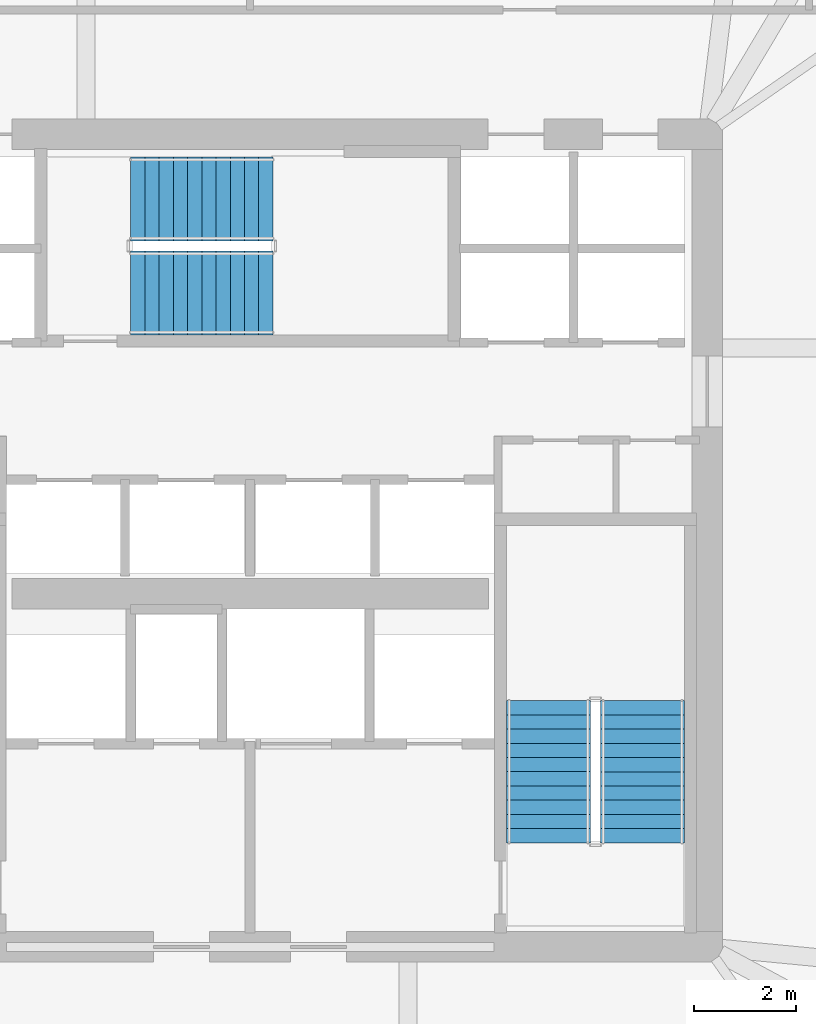
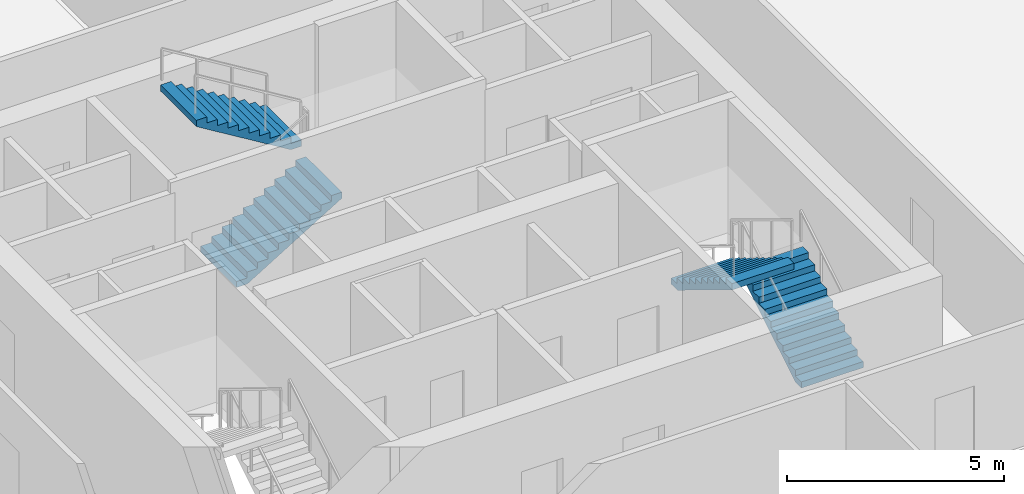
# One storey, part 29 of 34: 4 stair flights, 2 elements without a shape of their own.
"""IFC4 building model written with IfcOpenShell, lengths in metres."""

from ifc_helpers import new_model, si_unit, direction, frame, origin, place, context, subcontext, project, spatial, polyline, outline, extrude, material, type_object, element, aggregate, save


model = new_model("IFC4")

# Units and contexts
model_context = context("Model", 3, precision=1e-05, world=origin(), true_north=direction((0.0, 1.0)))
body_context = subcontext(model_context, "Body", "Model", "MODEL_VIEW")
ifc_project = project(units=[si_unit("LENGTHUNIT", "METRE"), si_unit("AREAUNIT", "SQUARE_METRE"), si_unit("VOLUMEUNIT", "CUBIC_METRE"), si_unit("PLANEANGLEUNIT", "RADIAN"), si_unit("MASSUNIT", "GRAM", prefix="KILO")], contexts=[model_context])

# Site, building, storey
site_placement = place(None, origin())
site = spatial("IfcSite", under=ifc_project, at=site_placement, CompositionType="ELEMENT")
building_placement = place(site_placement, origin())
building = spatial("IfcBuilding", under=site, at=building_placement, Name="Haldenkirk Collegiate Tower", CompositionType="ELEMENT")
storey_placement = place(building_placement, frame((0.0, 0.0, 40.199951171875)))
storey = spatial("IfcBuildingStorey", under=building, at=storey_placement, Name="L08", CompositionType="ELEMENT", Elevation=40.199951171875)

# Stair, stair flights
ifc_material = material(Name="Concrete f'c 40 MPa", Category="concrete")
stair_type = type_object("IfcStairType", Name="STR-DOGLEG-1650", PredefinedType="HALF_TURN_STAIR", material=ifc_material)
stair_1_placement = place(storey_placement, origin())
stair_1 = element("IfcStair", 1, at=stair_1_placement, inside=storey, type_object=stair_type, Name="L08 Core Exit Stair ST-2", PredefinedType="HALF_TURN_STAIR")
stair_flight_type = type_object("IfcStairFlightType", Name="STF-FLIGHT-1650", PredefinedType="STRAIGHT", material=ifc_material)
stair_flight_1_placement = place(storey_placement, frame((43.72509765625, 20.050048828125, 0.0), z_axis=(0.0, 0.0, 1.0), x_axis=(0.0, 1.0, 0.0)))
stair_flight_1 = element("IfcStairFlight", 2, at=stair_flight_1_placement, type_object=stair_flight_type, Name="ST-2 flight 1", NumberOfRisers=11, NumberOfTreads=10, PredefinedType="STRAIGHT", RiserHeight=0.170454545, TreadLength=0.28, context=body_context, shape_type="SweptSolid", body=[
    extrude(outline(polyline([(0.0, 0.0), (0.0, 0.17041015625), (0.280029296875, 0.17041015625), (0.280029296875, 0.3408203125), (0.56005859375, 0.3408203125), (0.56005859375, 0.511474609375), (0.840087890625, 0.511474609375), (0.840087890625, 0.681884765625), (1.1201171875, 0.681884765625), (1.1201171875, 0.852294921875), (1.39990234375, 0.852294921875), (1.39990234375, 1.022705078125), (1.679931640625, 1.022705078125), (1.679931640625, 1.193115234375), (1.9599609375, 1.193115234375), (1.9599609375, 1.363525390625), (2.239990234375, 1.363525390625), (2.239990234375, 1.5341796875), (2.52001953125, 1.5341796875), (2.52001953125, 1.70458984375), (2.800048828125, 1.70458984375), (2.800048828125, 1.875), (2.800048828125, 1.529052734375), (0.288330078125, 0.0), (0.0, 0.0)])), frame((0.0, 0.824951171875, 0.0), z_axis=(0.0, -1.0, 0.0), x_axis=(1.0, 0.0, 0.0)), (0.0, 0.0, 1.0), 1.64990234375),
])
stair_flight_2_placement = place(storey_placement, frame((41.875, 22.85009765625, 1.875), z_axis=(0.0, 0.0, 1.0), x_axis=(0.0, -1.0, 0.0)))
stair_flight_2 = element("IfcStairFlight", 3, at=stair_flight_2_placement, type_object=stair_flight_type, Name="ST-2 flight 2", NumberOfRisers=11, NumberOfTreads=10, PredefinedType="STRAIGHT", RiserHeight=0.170454545, TreadLength=0.28, context=body_context, shape_type="SweptSolid", body=[
    extrude(outline(polyline([(0.0, 0.0), (0.0, 0.17041015625), (0.280029296875, 0.17041015625), (0.280029296875, 0.3408203125), (0.56005859375, 0.3408203125), (0.56005859375, 0.511474609375), (0.840087890625, 0.511474609375), (0.840087890625, 0.681884765625), (1.1201171875, 0.681884765625), (1.1201171875, 0.852294921875), (1.39990234375, 0.852294921875), (1.39990234375, 1.022705078125), (1.679931640625, 1.022705078125), (1.679931640625, 1.193115234375), (1.9599609375, 1.193115234375), (1.9599609375, 1.363525390625), (2.239990234375, 1.363525390625), (2.239990234375, 1.5341796875), (2.52001953125, 1.5341796875), (2.52001953125, 1.70458984375), (2.800048828125, 1.70458984375), (2.800048828125, 1.875), (2.800048828125, 1.529052734375), (0.288330078125, 0.0), (0.0, 0.0)])), frame((0.0, 0.824951171875, 0.0), z_axis=(0.0, -1.0, 0.0), x_axis=(1.0, 0.0, 0.0)), (0.0, 0.0, 1.0), 1.64990234375),
])
aggregate(stair_1, [stair_flight_1, stair_flight_2])

stair_2_placement = place(storey_placement, origin())
stair_2 = element("IfcStair", 4, at=stair_2_placement, inside=storey, type_object=stair_type, Name="L08 Core Exit Stair ST-3", PredefinedType="HALF_TURN_STAIR")
stair_flight_3_placement = place(storey_placement, frame((33.64990234375, 30.875, 0.0), z_axis=(0.0, 0.0, 1.0), x_axis=(1.0, 0.0, 0.0)))
stair_flight_3 = element("IfcStairFlight", 5, at=stair_flight_3_placement, type_object=stair_flight_type, Name="ST-3 flight 1", NumberOfRisers=11, NumberOfTreads=10, PredefinedType="STRAIGHT", RiserHeight=0.170454545, TreadLength=0.28, context=body_context, shape_type="SweptSolid", body=[
    extrude(outline(polyline([(0.0, 0.0), (0.0, 0.17041015625), (0.280029296875, 0.17041015625), (0.280029296875, 0.3408203125), (0.56005859375, 0.3408203125), (0.56005859375, 0.511474609375), (0.840087890625, 0.511474609375), (0.840087890625, 0.681884765625), (1.1201171875, 0.681884765625), (1.1201171875, 0.852294921875), (1.39990234375, 0.852294921875), (1.39990234375, 1.022705078125), (1.679931640625, 1.022705078125), (1.679931640625, 1.193115234375), (1.9599609375, 1.193115234375), (1.9599609375, 1.363525390625), (2.239990234375, 1.363525390625), (2.239990234375, 1.5341796875), (2.52001953125, 1.5341796875), (2.52001953125, 1.70458984375), (2.800048828125, 1.70458984375), (2.800048828125, 1.875), (2.800048828125, 1.529052734375), (0.288330078125, 0.0), (0.0, 0.0)])), frame((0.0, 0.824951171875, 0.0), z_axis=(0.0, -1.0, 0.0), x_axis=(1.0, 0.0, 0.0)), (0.0, 0.0, 1.0), 1.64990234375),
])
stair_flight_4_placement = place(storey_placement, frame((36.449951171875, 32.72509765625, 1.875), z_axis=(0.0, 0.0, 1.0), x_axis=(-1.0, 0.0, 0.0)))
stair_flight_4 = element("IfcStairFlight", 6, at=stair_flight_4_placement, type_object=stair_flight_type, Name="ST-3 flight 2", NumberOfRisers=11, NumberOfTreads=10, PredefinedType="STRAIGHT", RiserHeight=0.170454545, TreadLength=0.28, context=body_context, shape_type="SweptSolid", body=[
    extrude(outline(polyline([(0.0, 0.0), (0.0, 0.17041015625), (0.280029296875, 0.17041015625), (0.280029296875, 0.3408203125), (0.56005859375, 0.3408203125), (0.56005859375, 0.511474609375), (0.840087890625, 0.511474609375), (0.840087890625, 0.681884765625), (1.1201171875, 0.681884765625), (1.1201171875, 0.852294921875), (1.39990234375, 0.852294921875), (1.39990234375, 1.022705078125), (1.679931640625, 1.022705078125), (1.679931640625, 1.193115234375), (1.9599609375, 1.193115234375), (1.9599609375, 1.363525390625), (2.239990234375, 1.363525390625), (2.239990234375, 1.5341796875), (2.52001953125, 1.5341796875), (2.52001953125, 1.70458984375), (2.800048828125, 1.70458984375), (2.800048828125, 1.875), (2.800048828125, 1.529052734375), (0.288330078125, 0.0), (0.0, 0.0)])), frame((0.0, 0.824951171875, 0.0), z_axis=(0.0, -1.0, 0.0), x_axis=(1.0, 0.0, 0.0)), (0.0, 0.0, 1.0), 1.64990234375),
])
aggregate(stair_2, [stair_flight_3, stair_flight_4])

save(model, "model.ifc")
